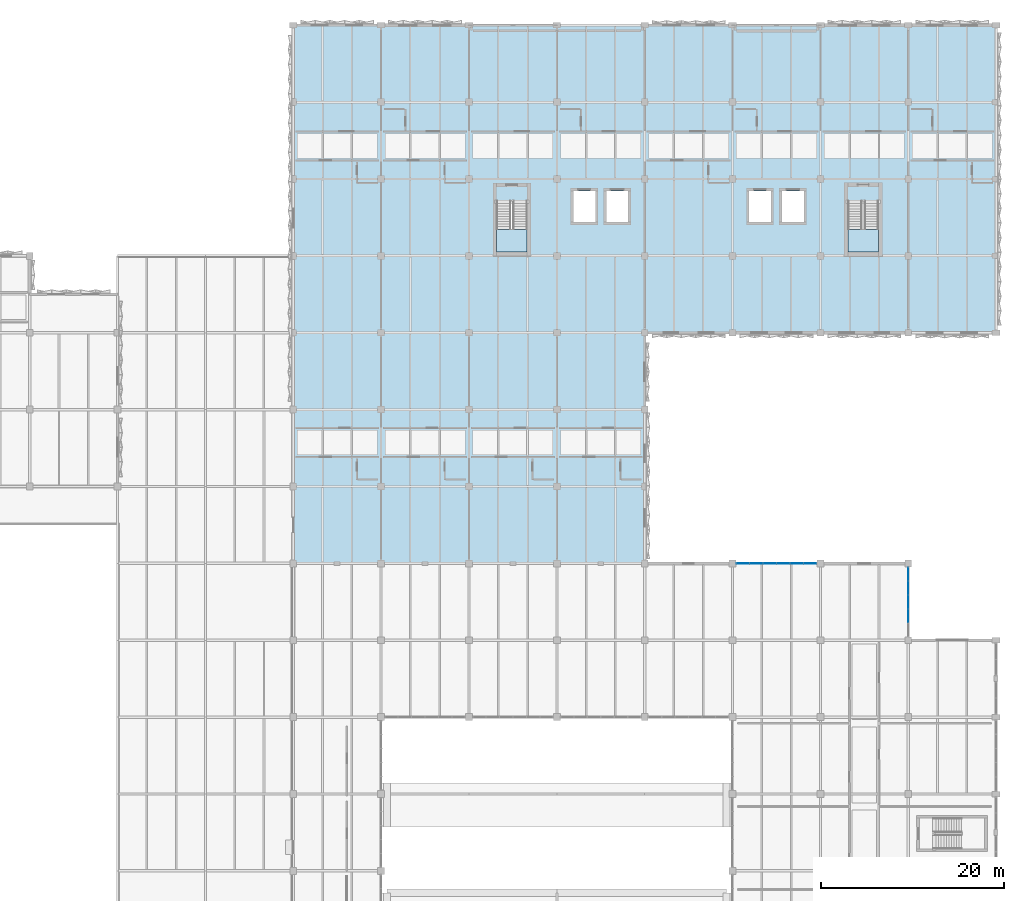
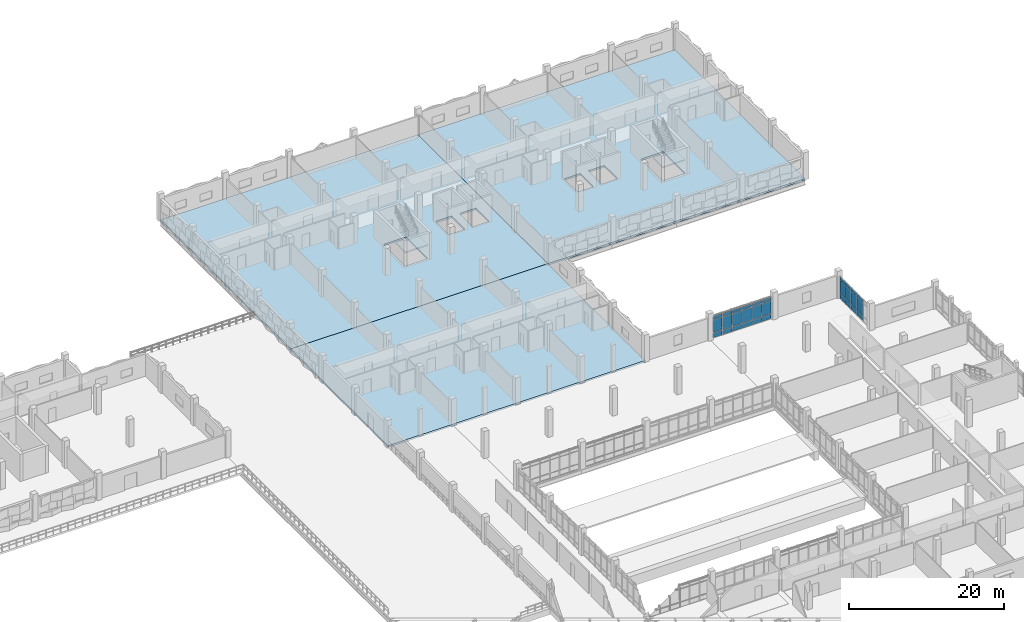
# One storey, part 46 of 86: 30 plates, 5 slabs, 4 elements without a shape of their own.
"""IFC4 building model written with IfcOpenShell, lengths in metres."""

from ifc_helpers import new_model, si_unit, direction, frame, origin, origin_2d, place, context, subcontext, project, spatial, polyline, rectangle, outline, extrude, material, layer, layer_set, type_object, element, aggregate, save


model = new_model("IFC4")

# Units and contexts
model_context = context("Model", 3, precision=1e-05, world=origin(), true_north=direction((0.0, 1.0)))
body_context = subcontext(model_context, "Body", "Model", "MODEL_VIEW")
ifc_project = project(units=[si_unit("LENGTHUNIT", "METRE"), si_unit("AREAUNIT", "SQUARE_METRE"), si_unit("VOLUMEUNIT", "CUBIC_METRE"), si_unit("PLANEANGLEUNIT", "RADIAN"), si_unit("MASSUNIT", "GRAM", prefix="KILO")], contexts=[model_context])

# Site, building, storey
site_placement = place(None, origin())
site = spatial("IfcSite", under=ifc_project, at=site_placement, CompositionType="ELEMENT")
building_placement = place(site_placement, origin())
building = spatial("IfcBuilding", under=site, at=building_placement, Name="Oolite Switchyard Hospital", CompositionType="ELEMENT")
storey_placement = place(building_placement, frame((0.0, 0.0, 13.5)))
storey = spatial("IfcBuildingStorey", under=building, at=storey_placement, Name="L03", CompositionType="ELEMENT", Elevation=13.5)

# Curtain wall, plates
ifc_material_1 = material(Name="Thermally broken aluminum frame with laminated impact glazing", Category="aluminium")
curtain_wall_type_1 = type_object("IfcCurtainWallType", Name="CW-UNIT-96X43", PredefinedType="USERDEFINED", material=ifc_material_1)
curtain_wall_1_placement = place(storey_placement, origin())
curtain_wall_1 = element("IfcCurtainWall", 1, at=curtain_wall_1_placement, inside=storey, type_object=curtain_wall_type_1, Name="L03 Unitised Curtain Wall 338", ObjectType="UNITISED", PredefinedType="USERDEFINED")
ifc_material_2 = material(Name="Laminated hurricane-impact insulated glazing unit", Category="glass")
ifc_layer_1 = layer(ifc_material_2, 0.035888671875)
ifc_layer_set_1 = layer_set([ifc_layer_1], Name="CW-PNL-VIS36")
plate_type_1 = type_object("IfcPlateType", Name="CW-PNL-VIS36", PredefinedType="CURTAIN_PANEL", material=ifc_layer_set_1)
plate_1_placement = place(storey_placement, frame((183.543701171875, 75.60009765625, 0.06005859375), z_axis=(0.0, 0.0, 1.0), x_axis=(1.0, 0.0, 0.0)))
plate_1 = element("IfcPlate", 2, at=plate_1_placement, type_object=plate_type_1, Name="CW-04 panel 1.1", PredefinedType="CURTAIN_PANEL", context=body_context, shape_type="SweptSolid", body=[
    extrude(rectangle(XDim=1.357421875, YDim=0.035888671875, at=origin_2d()), origin(), (0.0, 0.0, 1.0), 0.760009765625),
])
plate_2_placement = place(storey_placement, frame((183.543701171875, 75.60009765625, 0.8798828125), z_axis=(0.0, 0.0, 1.0), x_axis=(1.0, 0.0, 0.0)))
plate_2 = element("IfcPlate", 3, at=plate_2_placement, type_object=plate_type_1, Name="CW-04 panel 1.2", PredefinedType="CURTAIN_PANEL", context=body_context, shape_type="SweptSolid", body=[
    extrude(rectangle(XDim=1.357421875, YDim=0.035888671875, at=origin_2d()), origin(), (0.0, 0.0, 1.0), 2.030029296875),
])
plate_3_placement = place(storey_placement, frame((183.543701171875, 75.60009765625, 2.969970703125), z_axis=(0.0, 0.0, 1.0), x_axis=(1.0, 0.0, 0.0)))
plate_3 = element("IfcPlate", 4, at=plate_3_placement, type_object=plate_type_1, Name="CW-04 panel 1.3", PredefinedType="CURTAIN_PANEL", context=body_context, shape_type="SweptSolid", body=[
    extrude(rectangle(XDim=1.357421875, YDim=0.035888671875, at=origin_2d()), origin(), (0.0, 0.0, 1.0), 0.4599609375),
])
plate_4_placement = place(storey_placement, frame((184.9951171875, 75.60009765625, 0.06005859375), z_axis=(0.0, 0.0, 1.0), x_axis=(1.0, 0.0, 0.0)))
plate_4 = element("IfcPlate", 5, at=plate_4_placement, type_object=plate_type_1, Name="CW-04 panel 2.1", PredefinedType="CURTAIN_PANEL", context=body_context, shape_type="SweptSolid", body=[
    extrude(rectangle(XDim=1.39501953125, YDim=0.035888671875, at=origin_2d()), origin(), (0.0, 0.0, 1.0), 0.760009765625),
])
plate_5_placement = place(storey_placement, frame((184.9951171875, 75.60009765625, 0.8798828125), z_axis=(0.0, 0.0, 1.0), x_axis=(1.0, 0.0, 0.0)))
plate_5 = element("IfcPlate", 6, at=plate_5_placement, type_object=plate_type_1, Name="CW-04 panel 2.2", PredefinedType="CURTAIN_PANEL", context=body_context, shape_type="SweptSolid", body=[
    extrude(rectangle(XDim=1.39501953125, YDim=0.035888671875, at=origin_2d()), origin(), (0.0, 0.0, 1.0), 2.030029296875),
])
plate_6_placement = place(storey_placement, frame((184.9951171875, 75.60009765625, 2.969970703125), z_axis=(0.0, 0.0, 1.0), x_axis=(1.0, 0.0, 0.0)))
plate_6 = element("IfcPlate", 7, at=plate_6_placement, type_object=plate_type_1, Name="CW-04 panel 2.3", PredefinedType="CURTAIN_PANEL", context=body_context, shape_type="SweptSolid", body=[
    extrude(rectangle(XDim=1.39501953125, YDim=0.035888671875, at=origin_2d()), origin(), (0.0, 0.0, 1.0), 0.4599609375),
])
plate_7_placement = place(storey_placement, frame((186.465087890625, 75.60009765625, 0.06005859375), z_axis=(0.0, 0.0, 1.0), x_axis=(1.0, 0.0, 0.0)))
plate_7 = element("IfcPlate", 8, at=plate_7_placement, type_object=plate_type_1, Name="CW-04 panel 3.1", PredefinedType="CURTAIN_PANEL", context=body_context, shape_type="SweptSolid", body=[
    extrude(rectangle(XDim=1.39501953125, YDim=0.035888671875, at=origin_2d()), origin(), (0.0, 0.0, 1.0), 0.760009765625),
])
plate_8_placement = place(storey_placement, frame((186.465087890625, 75.60009765625, 0.8798828125), z_axis=(0.0, 0.0, 1.0), x_axis=(1.0, 0.0, 0.0)))
plate_8 = element("IfcPlate", 9, at=plate_8_placement, type_object=plate_type_1, Name="CW-04 panel 3.2", PredefinedType="CURTAIN_PANEL", context=body_context, shape_type="SweptSolid", body=[
    extrude(rectangle(XDim=1.39501953125, YDim=0.035888671875, at=origin_2d()), origin(), (0.0, 0.0, 1.0), 2.030029296875),
])
plate_9_placement = place(storey_placement, frame((186.465087890625, 75.60009765625, 2.969970703125), z_axis=(0.0, 0.0, 1.0), x_axis=(1.0, 0.0, 0.0)))
plate_9 = element("IfcPlate", 10, at=plate_9_placement, type_object=plate_type_1, Name="CW-04 panel 3.3", PredefinedType="CURTAIN_PANEL", context=body_context, shape_type="SweptSolid", body=[
    extrude(rectangle(XDim=1.39501953125, YDim=0.035888671875, at=origin_2d()), origin(), (0.0, 0.0, 1.0), 0.4599609375),
])
plate_10_placement = place(storey_placement, frame((187.93505859375, 75.60009765625, 0.06005859375), z_axis=(0.0, 0.0, 1.0), x_axis=(1.0, 0.0, 0.0)))
plate_10 = element("IfcPlate", 11, at=plate_10_placement, type_object=plate_type_1, Name="CW-04 panel 4.1", PredefinedType="CURTAIN_PANEL", context=body_context, shape_type="SweptSolid", body=[
    extrude(rectangle(XDim=1.39501953125, YDim=0.035888671875, at=origin_2d()), origin(), (0.0, 0.0, 1.0), 0.760009765625),
])
plate_11_placement = place(storey_placement, frame((187.93505859375, 75.60009765625, 0.8798828125), z_axis=(0.0, 0.0, 1.0), x_axis=(1.0, 0.0, 0.0)))
plate_11 = element("IfcPlate", 12, at=plate_11_placement, type_object=plate_type_1, Name="CW-04 panel 4.2", PredefinedType="CURTAIN_PANEL", context=body_context, shape_type="SweptSolid", body=[
    extrude(rectangle(XDim=1.39501953125, YDim=0.035888671875, at=origin_2d()), origin(), (0.0, 0.0, 1.0), 2.030029296875),
])
plate_12_placement = place(storey_placement, frame((187.93505859375, 75.60009765625, 2.969970703125), z_axis=(0.0, 0.0, 1.0), x_axis=(1.0, 0.0, 0.0)))
plate_12 = element("IfcPlate", 13, at=plate_12_placement, type_object=plate_type_1, Name="CW-04 panel 4.3", PredefinedType="CURTAIN_PANEL", context=body_context, shape_type="SweptSolid", body=[
    extrude(rectangle(XDim=1.39501953125, YDim=0.035888671875, at=origin_2d()), origin(), (0.0, 0.0, 1.0), 0.4599609375),
])
plate_13_placement = place(storey_placement, frame((189.405029296875, 75.60009765625, 0.06005859375), z_axis=(0.0, 0.0, 1.0), x_axis=(1.0, 0.0, 0.0)))
plate_13 = element("IfcPlate", 14, at=plate_13_placement, type_object=plate_type_1, Name="CW-04 panel 5.1", PredefinedType="CURTAIN_PANEL", context=body_context, shape_type="SweptSolid", body=[
    extrude(rectangle(XDim=1.39501953125, YDim=0.035888671875, at=origin_2d()), origin(), (0.0, 0.0, 1.0), 0.760009765625),
])
plate_14_placement = place(storey_placement, frame((189.405029296875, 75.60009765625, 0.8798828125), z_axis=(0.0, 0.0, 1.0), x_axis=(1.0, 0.0, 0.0)))
plate_14 = element("IfcPlate", 15, at=plate_14_placement, type_object=plate_type_1, Name="CW-04 panel 5.2", PredefinedType="CURTAIN_PANEL", context=body_context, shape_type="SweptSolid", body=[
    extrude(rectangle(XDim=1.39501953125, YDim=0.035888671875, at=origin_2d()), origin(), (0.0, 0.0, 1.0), 2.030029296875),
])
plate_15_placement = place(storey_placement, frame((189.405029296875, 75.60009765625, 2.969970703125), z_axis=(0.0, 0.0, 1.0), x_axis=(1.0, 0.0, 0.0)))
plate_15 = element("IfcPlate", 16, at=plate_15_placement, type_object=plate_type_1, Name="CW-04 panel 5.3", PredefinedType="CURTAIN_PANEL", context=body_context, shape_type="SweptSolid", body=[
    extrude(rectangle(XDim=1.39501953125, YDim=0.035888671875, at=origin_2d()), origin(), (0.0, 0.0, 1.0), 0.4599609375),
])
plate_16_placement = place(storey_placement, frame((190.856201171875, 75.60009765625, 0.06005859375), z_axis=(0.0, 0.0, 1.0), x_axis=(1.0, 0.0, 0.0)))
plate_16 = element("IfcPlate", 17, at=plate_16_placement, type_object=plate_type_1, Name="CW-04 panel 6.1", PredefinedType="CURTAIN_PANEL", context=body_context, shape_type="SweptSolid", body=[
    extrude(rectangle(XDim=1.357421875, YDim=0.035888671875, at=origin_2d()), origin(), (0.0, 0.0, 1.0), 0.760009765625),
])
plate_17_placement = place(storey_placement, frame((190.856201171875, 75.60009765625, 0.8798828125), z_axis=(0.0, 0.0, 1.0), x_axis=(1.0, 0.0, 0.0)))
plate_17 = element("IfcPlate", 18, at=plate_17_placement, type_object=plate_type_1, Name="CW-04 panel 6.2", PredefinedType="CURTAIN_PANEL", context=body_context, shape_type="SweptSolid", body=[
    extrude(rectangle(XDim=1.357421875, YDim=0.035888671875, at=origin_2d()), origin(), (0.0, 0.0, 1.0), 2.030029296875),
])
plate_18_placement = place(storey_placement, frame((190.856201171875, 75.60009765625, 2.969970703125), z_axis=(0.0, 0.0, 1.0), x_axis=(1.0, 0.0, 0.0)))
plate_18 = element("IfcPlate", 19, at=plate_18_placement, type_object=plate_type_1, Name="CW-04 panel 6.3", PredefinedType="CURTAIN_PANEL", context=body_context, shape_type="SweptSolid", body=[
    extrude(rectangle(XDim=1.357421875, YDim=0.035888671875, at=origin_2d()), origin(), (0.0, 0.0, 1.0), 0.4599609375),
])
aggregate(curtain_wall_1, [plate_1, plate_2, plate_3, plate_4, plate_5, plate_6, plate_7, plate_8, plate_9, plate_10, plate_11, plate_12, plate_13, plate_14, plate_15, plate_16, plate_17, plate_18])

curtain_wall_type_2 = type_object("IfcCurtainWallType", Name="CW-UNIT-84X43", PredefinedType="USERDEFINED", material=ifc_material_1)
curtain_wall_2_placement = place(storey_placement, origin())
curtain_wall_2 = element("IfcCurtainWall", 20, at=curtain_wall_2_placement, inside=storey, type_object=curtain_wall_type_2, Name="L03 Unitised Curtain Wall 348", ObjectType="UNITISED", PredefinedType="USERDEFINED")
ifc_layer_2 = layer(ifc_material_2, 0.0419921875)
ifc_layer_set_2 = layer_set([ifc_layer_2], Name="CW-PNL-VIS42")
plate_type_2 = type_object("IfcPlateType", Name="CW-PNL-VIS42", PredefinedType="CURTAIN_PANEL", material=ifc_layer_set_2)
plate_19_placement = place(storey_placement, frame((201.60009765625, 74.43310546875, 0.06005859375), z_axis=(0.0, 0.0, 1.0), x_axis=(0.0, -1.0, 0.0)))
plate_19 = element("IfcPlate", 21, at=plate_19_placement, type_object=plate_type_2, Name="CW-09 panel 1.1", PredefinedType="CURTAIN_PANEL", context=body_context, shape_type="SweptSolid", body=[
    extrude(rectangle(XDim=1.43408203125, YDim=0.0419921875, at=origin_2d()), origin(), (0.0, 0.0, 1.0), 0.760009765625),
])
plate_20_placement = place(storey_placement, frame((201.60009765625, 74.43310546875, 0.8798828125), z_axis=(0.0, 0.0, 1.0), x_axis=(0.0, -1.0, 0.0)))
plate_20 = element("IfcPlate", 22, at=plate_20_placement, type_object=plate_type_2, Name="CW-09 panel 1.2", PredefinedType="CURTAIN_PANEL", context=body_context, shape_type="SweptSolid", body=[
    extrude(rectangle(XDim=1.43408203125, YDim=0.0419921875, at=origin_2d()), origin(), (0.0, 0.0, 1.0), 2.030029296875),
])
plate_21_placement = place(storey_placement, frame((201.60009765625, 74.43310546875, 2.969970703125), z_axis=(0.0, 0.0, 1.0), x_axis=(0.0, -1.0, 0.0)))
plate_21 = element("IfcPlate", 23, at=plate_21_placement, type_object=plate_type_2, Name="CW-09 panel 1.3", PredefinedType="CURTAIN_PANEL", context=body_context, shape_type="SweptSolid", body=[
    extrude(rectangle(XDim=1.43408203125, YDim=0.0419921875, at=origin_2d()), origin(), (0.0, 0.0, 1.0), 0.4599609375),
])
plate_22_placement = place(storey_placement, frame((201.60009765625, 72.924072265625, 0.06005859375), z_axis=(0.0, 0.0, 1.0), x_axis=(0.0, -1.0, 0.0)))
plate_22 = element("IfcPlate", 24, at=plate_22_placement, type_object=plate_type_2, Name="CW-09 panel 2.1", PredefinedType="CURTAIN_PANEL", context=body_context, shape_type="SweptSolid", body=[
    extrude(rectangle(XDim=1.464111328125, YDim=0.0419921875, at=origin_2d()), origin(), (0.0, 0.0, 1.0), 0.760009765625),
])
plate_23_placement = place(storey_placement, frame((201.60009765625, 72.924072265625, 0.8798828125), z_axis=(0.0, 0.0, 1.0), x_axis=(0.0, -1.0, 0.0)))
plate_23 = element("IfcPlate", 25, at=plate_23_placement, type_object=plate_type_2, Name="CW-09 panel 2.2", PredefinedType="CURTAIN_PANEL", context=body_context, shape_type="SweptSolid", body=[
    extrude(rectangle(XDim=1.464111328125, YDim=0.0419921875, at=origin_2d()), origin(), (0.0, 0.0, 1.0), 2.030029296875),
])
plate_24_placement = place(storey_placement, frame((201.60009765625, 72.924072265625, 2.969970703125), z_axis=(0.0, 0.0, 1.0), x_axis=(0.0, -1.0, 0.0)))
plate_24 = element("IfcPlate", 26, at=plate_24_placement, type_object=plate_type_2, Name="CW-09 panel 2.3", PredefinedType="CURTAIN_PANEL", context=body_context, shape_type="SweptSolid", body=[
    extrude(rectangle(XDim=1.464111328125, YDim=0.0419921875, at=origin_2d()), origin(), (0.0, 0.0, 1.0), 0.4599609375),
])
plate_25_placement = place(storey_placement, frame((201.60009765625, 71.39990234375, 0.06005859375), z_axis=(0.0, 0.0, 1.0), x_axis=(0.0, -1.0, 0.0)))
plate_25 = element("IfcPlate", 27, at=plate_25_placement, type_object=plate_type_2, Name="CW-09 panel 3.1", PredefinedType="CURTAIN_PANEL", context=body_context, shape_type="SweptSolid", body=[
    extrude(rectangle(XDim=1.464111328125, YDim=0.0419921875, at=origin_2d()), origin(), (0.0, 0.0, 1.0), 0.760009765625),
])
plate_26_placement = place(storey_placement, frame((201.60009765625, 71.39990234375, 0.8798828125), z_axis=(0.0, 0.0, 1.0), x_axis=(0.0, -1.0, 0.0)))
plate_26 = element("IfcPlate", 28, at=plate_26_placement, type_object=plate_type_2, Name="CW-09 panel 3.2", PredefinedType="CURTAIN_PANEL", context=body_context, shape_type="SweptSolid", body=[
    extrude(rectangle(XDim=1.464111328125, YDim=0.0419921875, at=origin_2d()), origin(), (0.0, 0.0, 1.0), 2.030029296875),
])
plate_27_placement = place(storey_placement, frame((201.60009765625, 71.39990234375, 2.969970703125), z_axis=(0.0, 0.0, 1.0), x_axis=(0.0, -1.0, 0.0)))
plate_27 = element("IfcPlate", 29, at=plate_27_placement, type_object=plate_type_2, Name="CW-09 panel 3.3", PredefinedType="CURTAIN_PANEL", context=body_context, shape_type="SweptSolid", body=[
    extrude(rectangle(XDim=1.464111328125, YDim=0.0419921875, at=origin_2d()), origin(), (0.0, 0.0, 1.0), 0.4599609375),
])
plate_28_placement = place(storey_placement, frame((201.60009765625, 69.8759765625, 0.06005859375), z_axis=(0.0, 0.0, 1.0), x_axis=(0.0, -1.0, 0.0)))
plate_28 = element("IfcPlate", 30, at=plate_28_placement, type_object=plate_type_2, Name="CW-09 panel 4.1", PredefinedType="CURTAIN_PANEL", context=body_context, shape_type="SweptSolid", body=[
    extrude(rectangle(XDim=1.464111328125, YDim=0.0419921875, at=origin_2d()), origin(), (0.0, 0.0, 1.0), 0.760009765625),
])
plate_29_placement = place(storey_placement, frame((201.60009765625, 69.8759765625, 0.8798828125), z_axis=(0.0, 0.0, 1.0), x_axis=(0.0, -1.0, 0.0)))
plate_29 = element("IfcPlate", 31, at=plate_29_placement, type_object=plate_type_2, Name="CW-09 panel 4.2", PredefinedType="CURTAIN_PANEL", context=body_context, shape_type="SweptSolid", body=[
    extrude(rectangle(XDim=1.464111328125, YDim=0.0419921875, at=origin_2d()), origin(), (0.0, 0.0, 1.0), 2.030029296875),
])
plate_30_placement = place(storey_placement, frame((201.60009765625, 69.8759765625, 2.969970703125), z_axis=(0.0, 0.0, 1.0), x_axis=(0.0, -1.0, 0.0)))
plate_30 = element("IfcPlate", 32, at=plate_30_placement, type_object=plate_type_2, Name="CW-09 panel 4.3", PredefinedType="CURTAIN_PANEL", context=body_context, shape_type="SweptSolid", body=[
    extrude(rectangle(XDim=1.464111328125, YDim=0.0419921875, at=origin_2d()), origin(), (0.0, 0.0, 1.0), 0.4599609375),
])
aggregate(curtain_wall_2, [plate_19, plate_20, plate_21, plate_22, plate_23, plate_24, plate_25, plate_26, plate_27, plate_28, plate_29, plate_30])

# Slabs
ifc_material_3 = material(Name="Concrete C40/50", Category="concrete")
ifc_layer_3 = layer(ifc_material_3, 0.27490234375)
ifc_layer_set_3 = layer_set([ifc_layer_3], Name="SLB-FLR-275")
slab_type_1 = type_object("IfcSlabType", Name="SLB-FLR-275", PredefinedType="FLOOR", material=ifc_layer_set_3)
slab_1_placement = place(storey_placement, frame((0.0, 0.0, -0.27490234375)))
element("IfcSlab", 33, at=slab_1_placement, inside=storey, type_object=slab_type_1, Name="L03 V5E Slab V5EL", PredefinedType="FLOOR", context=body_context, shape_type="SweptSolid", body=[
    extrude(outline(polyline([(134.39990234375, 75.60009765625), (172.800048828125, 75.60009765625), (172.800048828125, 100.800048828125), (134.39990234375, 100.800048828125), (134.39990234375, 75.60009765625)])), origin(), (0.0, 0.0, 1.0), 0.27490234375),
])
slab_2_placement = place(storey_placement, frame((0.0, 0.0, -0.27490234375)))
element("IfcSlab", 34, at=slab_2_placement, inside=storey, type_object=slab_type_1, Name="L03 V5E Slab V5E1", PredefinedType="FLOOR", context=body_context, shape_type="SweptSolid", body=[
    extrude(outline(polyline([(134.39990234375, 100.800048828125), (172.800048828125, 100.800048828125), (172.800048828125, 134.39990234375), (134.39990234375, 134.39990234375), (134.39990234375, 100.800048828125)]), holes=[polyline([(156.60009765625, 115.18994140625), (156.60009765625, 109.60009765625), (159.9599609375, 109.60009765625), (159.9599609375, 115.18994140625), (156.60009765625, 115.18994140625)]), polyline([(165.0, 112.89990234375), (167.39990234375, 112.89990234375), (167.39990234375, 116.300048828125), (165.0, 116.300048828125), (165.0, 112.89990234375)]), polyline([(168.60009765625, 112.89990234375), (171.0, 112.89990234375), (171.0, 116.300048828125), (168.60009765625, 116.300048828125), (168.60009765625, 112.89990234375)])]), origin(), (0.0, 0.0, 1.0), 0.27490234375),
])
slab_3_placement = place(storey_placement, frame((0.0, 0.0, -0.27490234375)))
element("IfcSlab", 35, at=slab_3_placement, inside=storey, type_object=slab_type_1, Name="L03 V5E Slab V5E2", PredefinedType="FLOOR", context=body_context, shape_type="SweptSolid", body=[
    extrude(outline(polyline([(172.800048828125, 100.800048828125), (211.199951171875, 100.800048828125), (211.199951171875, 134.39990234375), (172.800048828125, 134.39990234375), (172.800048828125, 100.800048828125)]), holes=[polyline([(195.0, 115.18994140625), (195.0, 109.60009765625), (198.360107421875, 109.60009765625), (198.360107421875, 115.18994140625), (195.0, 115.18994140625)]), polyline([(184.199951171875, 112.89990234375), (186.60009765625, 112.89990234375), (186.60009765625, 116.300048828125), (184.199951171875, 116.300048828125), (184.199951171875, 112.89990234375)]), polyline([(187.800048828125, 112.89990234375), (190.199951171875, 112.89990234375), (190.199951171875, 116.300048828125), (187.800048828125, 116.300048828125), (187.800048828125, 112.89990234375)])]), origin(), (0.0, 0.0, 1.0), 0.27490234375),
])

# Stair, slab
stair_type = type_object("IfcStairType", Name="STR-DL-156-R24", PredefinedType="HALF_TURN_STAIR", material=ifc_material_3)
stair_1_placement = place(storey_placement, origin())
stair_1 = element("IfcStair", 36, at=stair_1_placement, inside=storey, type_object=stair_type, Name="L03 Exit Stair ST-03", PredefinedType="HALF_TURN_STAIR")
ifc_layer_4 = layer(ifc_material_3, 0.199951171875)
ifc_layer_set_4 = layer_set([ifc_layer_4], Name="SLB-LND-200")
slab_type_2 = type_object("IfcSlabType", Name="SLB-LND-200", PredefinedType="LANDING", material=ifc_layer_set_4)
slab_4_placement = place(storey_placement, frame((0.0, 0.0, 1.949951171875)))
slab_4 = element("IfcSlab", 37, at=slab_4_placement, type_object=slab_type_2, Name="ST-03 landing 1", PredefinedType="LANDING", context=body_context, shape_type="SweptSolid", body=[
    extrude(outline(polyline([(156.60009765625, 112.110107421875), (156.60009765625, 109.60009765625), (159.9599609375, 109.60009765625), (159.9599609375, 112.110107421875), (156.60009765625, 112.110107421875)])), origin(), (0.0, 0.0, 1.0), 0.199951171875),
])
aggregate(stair_1, [slab_4])

stair_2_placement = place(storey_placement, origin())
stair_2 = element("IfcStair", 38, at=stair_2_placement, inside=storey, type_object=stair_type, Name="L03 Exit Stair ST-04", PredefinedType="HALF_TURN_STAIR")
slab_5_placement = place(storey_placement, frame((0.0, 0.0, 1.949951171875)))
slab_5 = element("IfcSlab", 39, at=slab_5_placement, type_object=slab_type_2, Name="ST-04 landing 1", PredefinedType="LANDING", context=body_context, shape_type="SweptSolid", body=[
    extrude(outline(polyline([(195.0, 112.110107421875), (195.0, 109.60009765625), (198.360107421875, 109.60009765625), (198.360107421875, 112.110107421875), (195.0, 112.110107421875)])), origin(), (0.0, 0.0, 1.0), 0.199951171875),
])
aggregate(stair_2, [slab_5])

save(model, "model.ifc")
